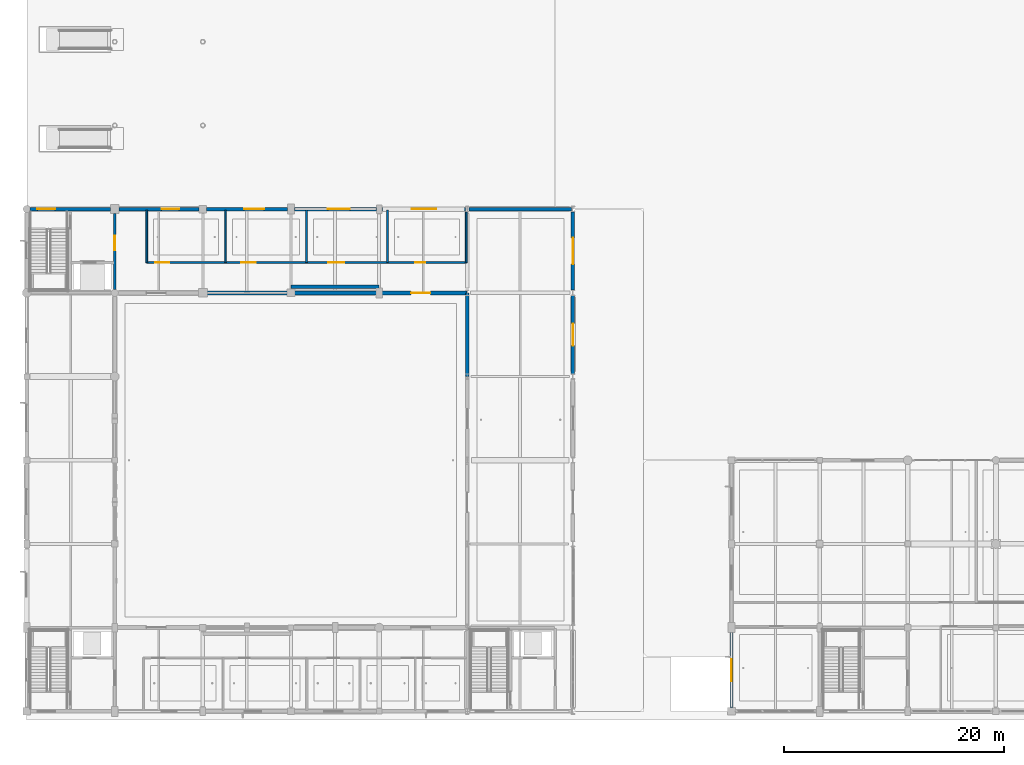
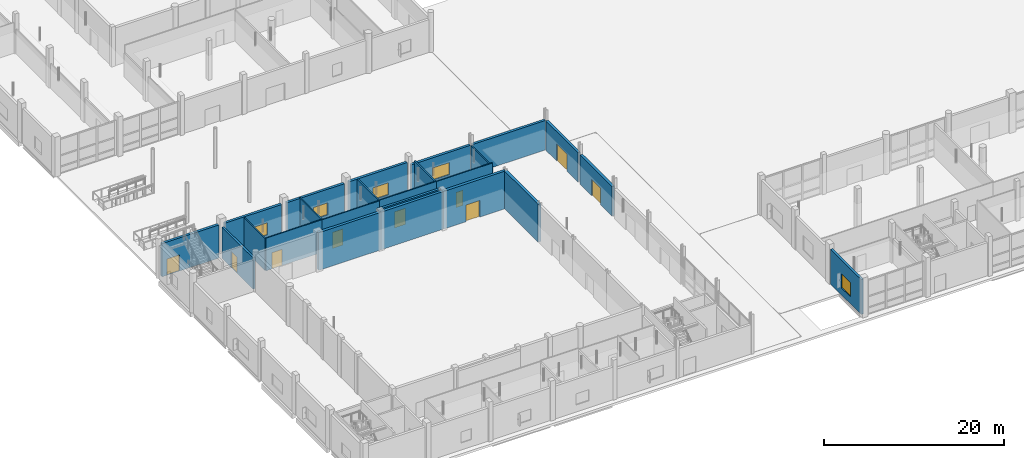
# One storey, part 61 of 126: 24 walls, 9 doors, 5 windows, 14 openings.
"""IFC4 building model written with IfcOpenShell, lengths in metres."""

from ifc_helpers import new_model, si_unit, direction, frame, frame_2d, origin, place, context, subcontext, project, spatial, rectangle, extrude, material, layer, layer_set, type_object, element, fill, save


model = new_model("IFC4")

# Units and contexts
model_context = context("Model", 3, precision=1e-05, world=origin(), true_north=direction((0.0, 1.0)))
body_context = subcontext(model_context, "Body", "Model", "MODEL_VIEW")
ifc_project = project(units=[si_unit("LENGTHUNIT", "METRE"), si_unit("AREAUNIT", "SQUARE_METRE"), si_unit("VOLUMEUNIT", "CUBIC_METRE"), si_unit("PLANEANGLEUNIT", "RADIAN"), si_unit("MASSUNIT", "GRAM", prefix="KILO")], contexts=[model_context])

# Site, building, storey
site_placement = place(None, origin())
site = spatial("IfcSite", under=ifc_project, at=site_placement, CompositionType="ELEMENT")
building_placement = place(site_placement, origin())
building = spatial("IfcBuilding", under=site, at=building_placement, Name="Khelvaren Railside Concert Hall", CompositionType="ELEMENT")
storey_placement = place(building_placement, origin())
storey = spatial("IfcBuildingStorey", under=building, at=storey_placement, Name="L00", CompositionType="ELEMENT", Elevation=0.0)

# Wall, opening, door
ifc_material_1 = material(Name="Concrete C40/50", Category="concrete")
ifc_layer_1 = layer(ifc_material_1, 0.25)
ifc_layer_set_1 = layer_set([ifc_layer_1], Name="Concrete C40/50")
wall_type_1 = type_object("IfcWallType", Name="CW82", PredefinedType="SOLIDWALL", material=ifc_layer_set_1)
wall_1_placement = place(storey_placement, frame((8.0, 38.324951171875, 0.0), z_axis=(0.0, 0.0, 1.0), x_axis=(0.0, 1.0, 0.0)))
wall_1 = element("IfcWall", 1, at=wall_1_placement, inside=storey, type_object=wall_type_1, Name="Core Enclosure Wall CWALL-ST-11-L00-E", PredefinedType="SOLIDWALL", context=body_context, shape_type="SweptSolid", body=[
    extrude(rectangle(XDim=6.875, YDim=0.25, at=frame_2d((3.4375, 0.0))), origin(), (0.0, 0.0, 1.0), 4.235107421875),
])
opening_1_placement = place(wall_1_placement, frame((3.52490234375, 0.0, 0.0)))
opening_1 = element("IfcOpeningElement", 2, at=opening_1_placement, cuts=wall_1, Name="Opening FDR34", PredefinedType="OPENING", context=body_context, shape_type="SweptSolid", body=[
    extrude(rectangle(XDim=1.35009765625, YDim=2.199951171875, at=frame_2d((0.675048828125, 1.10009765625))), frame((0.0, 0.135009765625, 0.0), z_axis=(0.0, -1.0, 0.0), x_axis=(1.0, 0.0, 0.0)), (0.0, 0.0, 1.0), 0.27001953125),
])
ifc_material_2 = material(Name="Acoustic fire-rated timber-core steel frame door", Category="steel")
door_type_1 = type_object("IfcDoorType", Name="FDR34", OperationType="NOTDEFINED", PredefinedType="DOOR", material=ifc_material_2)
door_1_placement = place(opening_1_placement, origin())
door_1 = element("IfcDoor", 3, at=door_1_placement, inside=storey, type_object=door_type_1, Name="Interior Door DR-ST-11-L00-LOB", OperationType="SINGLE_SWING_LEFT", OverallHeight=2.199951171875, OverallWidth=1.35009765625, PredefinedType="DOOR", context=body_context, shape_type="SweptSolid", body=[
    extrude(rectangle(XDim=1.35009765625, YDim=2.199951171875, at=frame_2d((0.675048828125, 1.10009765625))), frame((0.0, 0.02490234375, 0.0), z_axis=(0.0, -1.0, 0.0), x_axis=(1.0, 0.0, 0.0)), (0.0, 0.0, 1.0), 0.050048828125),
])
fill(opening_1, door_1)

ifc_material_3 = material(Name="Board-marked architectural concrete C40/50", Category="concrete")
ifc_layer_2 = layer(ifc_material_3, 0.320068359375)
ifc_layer_set_2 = layer_set([ifc_layer_2], Name="Board-marked architectural concrete C40/50")
wall_type_2 = type_object("IfcWallType", Name="EW39", PredefinedType="SOLIDWALL", material=ifc_layer_set_2)
wall_2_placement = place(storey_placement, frame((0.324951171875, 45.60009765625, 0.0), z_axis=(0.0, 0.0, 1.0), x_axis=(1.0, 0.0, 0.0)))
wall_2 = element("IfcWall", 4, at=wall_2_placement, inside=storey, type_object=wall_type_2, Name="V1 L00 Exterior Concrete Wall N-0", PredefinedType="SOLIDWALL", context=body_context, shape_type="SweptSolid", body=[
    extrude(rectangle(XDim=7.275146484375, YDim=0.320068359375, at=frame_2d((3.6376953125, 0.0))), origin(), (0.0, 0.0, 1.0), 4.489990234375),
])
opening_2_placement = place(wall_2_placement, frame((0.64990234375, 0.0, 0.0)))
opening_2 = element("IfcOpeningElement", 5, at=opening_2_placement, cuts=wall_2, Name="Opening E-ST11", PredefinedType="OPENING", context=body_context, shape_type="SweptSolid", body=[
    extrude(rectangle(XDim=1.60009765625, YDim=2.199951171875, at=frame_2d((0.800048828125, 1.10009765625))), frame((0.0, 0.169921875, 0.0), z_axis=(0.0, -1.0, 0.0), x_axis=(1.0, 0.0, 0.0)), (0.0, 0.0, 1.0), 0.340087890625),
])
ifc_material_4 = material(Name="Acoustic thermally broken steel exit door", Category="steel")
door_type_2 = type_object("IfcDoorType", Name="EDR80", OperationType="NOTDEFINED", PredefinedType="DOOR", material=ifc_material_4)
door_2_placement = place(opening_2_placement, origin())
door_2 = element("IfcDoor", 6, at=door_2_placement, inside=storey, type_object=door_type_2, Name="Final Stair Exit Door E-ST11", OperationType="SINGLE_SWING_RIGHT", OverallHeight=2.199951171875, OverallWidth=1.60009765625, PredefinedType="DOOR", context=body_context, shape_type="SweptSolid", body=[
    extrude(rectangle(XDim=1.60009765625, YDim=2.199951171875, at=frame_2d((0.800048828125, 1.10009765625))), frame((0.0, 0.02490234375, 0.0), z_axis=(0.0, -1.0, 0.0), x_axis=(1.0, 0.0, 0.0)), (0.0, 0.0, 1.0), 0.050048828125),
])
fill(opening_2, door_2)

# Wall, opening, window
wall_3_placement = place(storey_placement, frame((8.39990234375, 45.60009765625, 0.0), z_axis=(0.0, 0.0, 1.0), x_axis=(1.0, 0.0, 0.0)))
wall_3 = element("IfcWall", 7, at=wall_3_placement, inside=storey, type_object=wall_type_2, Name="V1 L00 Exterior Concrete Wall N-8", PredefinedType="SOLIDWALL", context=body_context, shape_type="SweptSolid", body=[
    extrude(rectangle(XDim=7.25, YDim=0.320068359375, at=frame_2d((3.625, 0.0))), origin(), (0.0, 0.0, 1.0), 4.43994140625),
])
opening_3_placement = place(wall_3_placement, frame((3.85009765625, 0.0, 0.949951171875)))
opening_3 = element("IfcOpeningElement", 8, at=opening_3_placement, cuts=wall_3, Name="Opening WN73", PredefinedType="OPENING", context=body_context, shape_type="SweptSolid", body=[
    extrude(rectangle(XDim=1.60009765625, YDim=1.64990234375, at=frame_2d((0.800048828125, 0.824951171875))), frame((0.0, 0.169921875, 0.0), z_axis=(0.0, -1.0, 0.0), x_axis=(1.0, 0.0, 0.0)), (0.0, 0.0, 1.0), 0.340087890625),
])
ifc_material_5 = material(Name="Triple-glazed acoustic aluminium window", Category="aluminium")
window_type_1 = type_object("IfcWindowType", Name="WN73", PartitioningType="SINGLE_PANEL", PredefinedType="WINDOW", material=ifc_material_5)
window_1_placement = place(opening_3_placement, origin())
window_1 = element("IfcWindow", 9, at=window_1_placement, inside=storey, type_object=window_type_1, Name="Acoustic Facade Window EW-V1-L00-N-8", OverallHeight=1.64990234375, OverallWidth=1.60009765625, PartitioningType="SINGLE_PANEL", PredefinedType="WINDOW", context=body_context, shape_type="SweptSolid", body=[
    extrude(rectangle(XDim=1.60009765625, YDim=1.64990234375, at=frame_2d((0.800048828125, 0.824951171875))), frame((0.0, 0.030029296875, 0.0), z_axis=(0.0, -1.0, 0.0), x_axis=(1.0, 0.0, 0.0)), (0.0, 0.0, 1.0), 0.06005859375),
])
fill(opening_3, window_1)

wall_4_placement = place(storey_placement, frame((16.35009765625, 45.60009765625, 0.0), z_axis=(0.0, 0.0, 1.0), x_axis=(1.0, 0.0, 0.0)))
wall_4 = element("IfcWall", 10, at=wall_4_placement, inside=storey, type_object=wall_type_2, Name="V1 L00 Exterior Concrete Wall N-16", PredefinedType="SOLIDWALL", context=body_context, shape_type="SweptSolid", body=[
    extrude(rectangle(XDim=7.349853515625, YDim=0.320068359375, at=frame_2d((3.6748046875, 0.0))), origin(), (0.0, 0.0, 1.0), 4.43994140625),
])
opening_4_placement = place(wall_4_placement, frame((3.406494140625, 0.0, 0.949951171875)))
opening_4 = element("IfcOpeningElement", 11, at=opening_4_placement, cuts=wall_4, Name="Opening WN96", PredefinedType="OPENING", context=body_context, shape_type="SweptSolid", body=[
    extrude(rectangle(XDim=1.800048828125, YDim=1.64990234375, at=frame_2d((0.89990234375, 0.824951171875))), frame((0.0, 0.169921875, 0.0), z_axis=(0.0, -1.0, 0.0), x_axis=(1.0, 0.0, 0.0)), (0.0, 0.0, 1.0), 0.340087890625),
])
window_type_2 = type_object("IfcWindowType", Name="WN96", PartitioningType="DOUBLE_PANEL_VERTICAL", PredefinedType="WINDOW", material=ifc_material_5)
window_2_placement = place(opening_4_placement, origin())
window_2 = element("IfcWindow", 12, at=window_2_placement, inside=storey, type_object=window_type_2, Name="Acoustic Facade Window EW-V1-L00-N-16", OverallHeight=1.64990234375, OverallWidth=1.800048828125, PartitioningType="DOUBLE_PANEL_VERTICAL", PredefinedType="WINDOW", context=body_context, shape_type="SweptSolid", body=[
    extrude(rectangle(XDim=1.800048828125, YDim=1.64990234375, at=frame_2d((0.89990234375, 0.824951171875))), frame((0.0, 0.030029296875, 0.0), z_axis=(0.0, -1.0, 0.0), x_axis=(1.0, 0.0, 0.0)), (0.0, 0.0, 1.0), 0.06005859375),
])
fill(opening_4, window_2)

wall_5_placement = place(storey_placement, frame((24.300048828125, 45.60009765625, 0.0), z_axis=(0.0, 0.0, 1.0), x_axis=(1.0, 0.0, 0.0)))
wall_5 = element("IfcWall", 13, at=wall_5_placement, inside=storey, type_object=wall_type_2, Name="V1 L00 Exterior Concrete Wall N-24", PredefinedType="SOLIDWALL", context=body_context, shape_type="SweptSolid", body=[
    extrude(rectangle(XDim=7.449951171875, YDim=0.320068359375, at=frame_2d((3.72509765625, 0.0))), origin(), (0.0, 0.0, 1.0), 4.489990234375),
])
opening_5_placement = place(wall_5_placement, frame((3.054931640625, 0.0, 0.949951171875)))
opening_5 = element("IfcOpeningElement", 14, at=opening_5_placement, cuts=wall_5, Name="Opening WN51", PredefinedType="OPENING", context=body_context, shape_type="SweptSolid", body=[
    extrude(rectangle(XDim=2.0, YDim=1.64990234375, at=frame_2d((1.0, 0.824951171875))), frame((0.0, 0.169921875, 0.0), z_axis=(0.0, -1.0, 0.0), x_axis=(1.0, 0.0, 0.0)), (0.0, 0.0, 1.0), 0.340087890625),
])
window_type_3 = type_object("IfcWindowType", Name="WN51", PartitioningType="DOUBLE_PANEL_VERTICAL", PredefinedType="WINDOW", material=ifc_material_5)
window_3_placement = place(opening_5_placement, origin())
window_3 = element("IfcWindow", 15, at=window_3_placement, inside=storey, type_object=window_type_3, Name="Acoustic Facade Window EW-V1-L00-N-24", OverallHeight=1.64990234375, OverallWidth=2.0, PartitioningType="DOUBLE_PANEL_VERTICAL", PredefinedType="WINDOW", context=body_context, shape_type="SweptSolid", body=[
    extrude(rectangle(XDim=2.0, YDim=1.64990234375, at=frame_2d((1.0, 0.824951171875))), frame((0.0, 0.030029296875, 0.0), z_axis=(0.0, -1.0, 0.0), x_axis=(1.0, 0.0, 0.0)), (0.0, 0.0, 1.0), 0.06005859375),
])
fill(opening_5, window_3)

wall_6_placement = place(storey_placement, frame((32.25, 45.60009765625, 0.0), z_axis=(0.0, 0.0, 1.0), x_axis=(1.0, 0.0, 0.0)))
wall_6 = element("IfcWall", 16, at=wall_6_placement, inside=storey, type_object=wall_type_2, Name="V1 L00 Exterior Concrete Wall N-32", PredefinedType="SOLIDWALL", context=body_context, shape_type="SweptSolid", body=[
    extrude(rectangle(XDim=7.60009765625, YDim=0.320068359375, at=frame_2d((3.800048828125, 0.0))), origin(), (0.0, 0.0, 1.0), 3.989990234375),
])
opening_6_placement = place(wall_6_placement, frame((2.728515625, 0.0, 0.949951171875)))
opening_6 = element("IfcOpeningElement", 17, at=opening_6_placement, cuts=wall_6, Name="Opening WN37", PredefinedType="OPENING", context=body_context, shape_type="SweptSolid", body=[
    extrude(rectangle(XDim=2.199951171875, YDim=1.64990234375, at=frame_2d((1.10009765625, 0.824951171875))), frame((0.0, 0.169921875, 0.0), z_axis=(0.0, -1.0, 0.0), x_axis=(1.0, 0.0, 0.0)), (0.0, 0.0, 1.0), 0.340087890625),
])
window_type_4 = type_object("IfcWindowType", Name="WN37", PartitioningType="DOUBLE_PANEL_VERTICAL", PredefinedType="WINDOW", material=ifc_material_5)
window_4_placement = place(opening_6_placement, origin())
window_4 = element("IfcWindow", 18, at=window_4_placement, inside=storey, type_object=window_type_4, Name="Acoustic Facade Window EW-V1-L00-N-32", OverallHeight=1.64990234375, OverallWidth=2.199951171875, PartitioningType="DOUBLE_PANEL_VERTICAL", PredefinedType="WINDOW", context=body_context, shape_type="SweptSolid", body=[
    extrude(rectangle(XDim=2.199951171875, YDim=1.64990234375, at=frame_2d((1.10009765625, 0.824951171875))), frame((0.0, 0.030029296875, 0.0), z_axis=(0.0, -1.0, 0.0), x_axis=(1.0, 0.0, 0.0)), (0.0, 0.0, 1.0), 0.06005859375),
])
fill(opening_6, window_4)

# Wall
wall_7_placement = place(storey_placement, frame((40.14990234375, 45.60009765625, 0.0), z_axis=(0.0, 0.0, 1.0), x_axis=(1.0, 0.0, 0.0)))
element("IfcWall", 19, at=wall_7_placement, inside=storey, type_object=wall_type_2, Name="V1 L00 Exterior Concrete Wall N-40", PredefinedType="SOLIDWALL", context=body_context, shape_type="SweptSolid", body=[
    extrude(rectangle(XDim=9.300048828125, YDim=0.320068359375, at=frame_2d((4.64990234375, 0.0))), origin(), (0.0, 0.0, 1.0), 3.989990234375),
])

# Wall, opening, door
wall_8_placement = place(storey_placement, frame((49.60009765625, 37.75, 0.0), z_axis=(0.0, 0.0, 1.0), x_axis=(0.0, -1.0, 0.0)))
wall_8 = element("IfcWall", 20, at=wall_8_placement, inside=storey, type_object=wall_type_2, Name="V1 L00 Exterior Concrete Wall E-30", PredefinedType="SOLIDWALL", context=body_context, shape_type="SweptSolid", body=[
    extrude(rectangle(XDim=7.10009765625, YDim=0.320068359375, at=frame_2d((3.550048828125, 0.0))), origin(), (0.0, 0.0, 1.0), 3.989990234375),
])
opening_7_placement = place(wall_8_placement, frame((2.550048828125, 0.0, 0.0)))
opening_7 = element("IfcOpeningElement", 21, at=opening_7_placement, cuts=wall_8, Name="Opening E-V1-03", PredefinedType="OPENING", context=body_context, shape_type="SweptSolid", body=[
    extrude(rectangle(XDim=2.0, YDim=2.25, at=frame_2d((1.0, 1.125))), frame((0.0, 0.169921875, 0.0), z_axis=(0.0, -1.0, 0.0), x_axis=(1.0, 0.0, 0.0)), (0.0, 0.0, 1.0), 0.340087890625),
])
ifc_material_6 = material(Name="Anodised bronze glazed entrance door", Category="aluminium")
door_type_3 = type_object("IfcDoorType", Name="EDR42", OperationType="NOTDEFINED", PredefinedType="DOOR", material=ifc_material_6)
door_3_placement = place(opening_7_placement, origin())
door_3 = element("IfcDoor", 22, at=door_3_placement, inside=storey, type_object=door_type_3, Name="Public Entrance Exit Door E-V1-03", OperationType="SINGLE_SWING_LEFT", OverallHeight=2.25, OverallWidth=2.0, PredefinedType="DOOR", context=body_context, shape_type="SweptSolid", body=[
    extrude(rectangle(XDim=2.0, YDim=2.25, at=frame_2d((1.0, 1.125))), frame((0.0, 0.02490234375, 0.0), z_axis=(0.0, -1.0, 0.0), x_axis=(1.0, 0.0, 0.0)), (0.0, 0.0, 1.0), 0.050048828125),
])
fill(opening_7, door_3)

wall_9_placement = place(storey_placement, frame((49.60009765625, 45.35009765625, 0.0), z_axis=(0.0, 0.0, 1.0), x_axis=(0.0, -1.0, 0.0)))
wall_9 = element("IfcWall", 23, at=wall_9_placement, inside=storey, type_object=wall_type_2, Name="V1 L00 Exterior Concrete Wall E-38", PredefinedType="SOLIDWALL", context=body_context, shape_type="SweptSolid", body=[
    extrude(rectangle(XDim=7.10009765625, YDim=0.320068359375, at=frame_2d((3.550048828125, 0.0))), origin(), (0.0, 0.0, 1.0), 3.989990234375),
])
opening_8_placement = place(wall_9_placement, frame((2.35009765625, 0.0, 0.0)))
opening_8 = element("IfcOpeningElement", 24, at=opening_8_placement, cuts=wall_9, Name="Opening E-V1-04", PredefinedType="OPENING", context=body_context, shape_type="SweptSolid", body=[
    extrude(rectangle(XDim=2.39990234375, YDim=2.35009765625, at=frame_2d((1.199951171875, 1.175048828125))), frame((0.0, 0.169921875, 0.0), z_axis=(0.0, -1.0, 0.0), x_axis=(1.0, 0.0, 0.0)), (0.0, 0.0, 1.0), 0.340087890625),
])
door_type_4 = type_object("IfcDoorType", Name="EDR86", OperationType="NOTDEFINED", PredefinedType="DOOR", material=ifc_material_6)
door_4_placement = place(opening_8_placement, origin())
door_4 = element("IfcDoor", 25, at=door_4_placement, inside=storey, type_object=door_type_4, Name="Public Entrance Exit Door E-V1-04", OperationType="SINGLE_SWING_RIGHT", OverallHeight=2.35009765625, OverallWidth=2.39990234375, PredefinedType="DOOR", context=body_context, shape_type="SweptSolid", body=[
    extrude(rectangle(XDim=2.39990234375, YDim=2.35009765625, at=frame_2d((1.199951171875, 1.175048828125))), frame((0.0, 0.02490234375, 0.0), z_axis=(0.0, -1.0, 0.0), x_axis=(1.0, 0.0, 0.0)), (0.0, 0.0, 1.0), 0.050048828125),
])
fill(opening_8, door_4)

# Wall, opening, window
ifc_layer_3 = layer(ifc_material_3, 0.2900390625)
ifc_layer_set_3 = layer_set([ifc_layer_3], Name="Board-marked architectural concrete C40/50")
wall_type_3 = type_object("IfcWallType", Name="EW77", PredefinedType="SOLIDWALL", material=ifc_layer_set_3)
wall_10_placement = place(storey_placement, frame((64.0, 0.35009765625, 0.0), z_axis=(0.0, 0.0, 1.0), x_axis=(0.0, 1.0, 0.0)))
wall_10 = element("IfcWall", 26, at=wall_10_placement, inside=storey, type_object=wall_type_3, Name="V3 L00 Exterior Concrete Wall W-0", PredefinedType="SOLIDWALL", context=body_context, shape_type="SweptSolid", body=[
    extrude(rectangle(XDim=6.7998046875, YDim=0.2900390625, at=frame_2d((3.39990234375, 0.0))), origin(), (0.0, 0.0, 1.0), 4.72998046875),
])
opening_9_placement = place(wall_10_placement, frame((2.39990234375, 0.0, 0.949951171875)))
opening_9 = element("IfcOpeningElement", 27, at=opening_9_placement, cuts=wall_10, Name="Opening WN46", PredefinedType="OPENING", context=body_context, shape_type="SweptSolid", body=[
    extrude(rectangle(XDim=2.0, YDim=1.949951171875, at=frame_2d((1.0, 0.97509765625))), frame((0.0, 0.155029296875, 0.0), z_axis=(0.0, -1.0, 0.0), x_axis=(1.0, 0.0, 0.0)), (0.0, 0.0, 1.0), 0.31005859375),
])
window_type_5 = type_object("IfcWindowType", Name="WN46", PartitioningType="DOUBLE_PANEL_VERTICAL", PredefinedType="WINDOW", material=ifc_material_5)
window_5_placement = place(opening_9_placement, origin())
window_5 = element("IfcWindow", 28, at=window_5_placement, inside=storey, type_object=window_type_5, Name="Acoustic Facade Window EW-V3-L00-W-0", OverallHeight=1.949951171875, OverallWidth=2.0, PartitioningType="DOUBLE_PANEL_VERTICAL", PredefinedType="WINDOW", context=body_context, shape_type="SweptSolid", body=[
    extrude(rectangle(XDim=2.0, YDim=1.949951171875, at=frame_2d((1.0, 0.97509765625))), frame((0.0, 0.030029296875, 0.0), z_axis=(0.0, -1.0, 0.0), x_axis=(1.0, 0.0, 0.0)), (0.0, 0.0, 1.0), 0.06005859375),
])
fill(opening_9, window_5)

# Walls
ifc_material_7 = material(Name="Acoustic double-stud gypsum partition", Category="gypsum")
ifc_layer_4 = layer(ifc_material_7, 0.18994140625)
ifc_layer_set_4 = layer_set([ifc_layer_4], Name="Acoustic double-stud gypsum partition")
wall_type_4 = type_object("IfcWallType", Name="PT17", PredefinedType="PARTITIONING", material=ifc_layer_set_4)
wall_11_placement = place(storey_placement, frame((32.757080078125, 40.75, 0.0), z_axis=(0.0, 0.0, 1.0), x_axis=(0.0, 1.0, 0.0)))
element("IfcWall", 29, at=wall_11_placement, inside=storey, type_object=wall_type_4, Name="Acoustic Partition Wall PW-V1-L00-N0-D03", PredefinedType="PARTITIONING", context=body_context, shape_type="SweptSolid", body=[
    extrude(rectangle(XDim=4.77001953125, YDim=0.18994140625, at=frame_2d((2.385009765625, 0.0))), origin(), (0.0, 0.0, 1.0), 4.35009765625),
])
ifc_layer_5 = layer(ifc_material_7, 0.14990234375)
ifc_layer_set_5 = layer_set([ifc_layer_5], Name="Acoustic double-stud gypsum partition")
wall_type_5 = type_object("IfcWallType", Name="PT66", PredefinedType="PARTITIONING", material=ifc_layer_set_5)
wall_12_placement = place(storey_placement, frame((18.06298828125, 40.75, 0.0), z_axis=(0.0, 0.0, 1.0), x_axis=(0.0, 1.0, 0.0)))
element("IfcWall", 30, at=wall_12_placement, inside=storey, type_object=wall_type_5, Name="Acoustic Partition Wall PW-V1-L00-N0-D01", PredefinedType="PARTITIONING", context=body_context, shape_type="SweptSolid", body=[
    extrude(rectangle(XDim=4.77001953125, YDim=0.14990234375, at=frame_2d((2.385009765625, 0.0))), origin(), (0.0, 0.0, 1.0), 4.4951171875),
])

# Wall, opening, door
ifc_layer_6 = layer(ifc_material_7, 0.14990234375)
ifc_layer_set_6 = layer_set([ifc_layer_6], Name="Acoustic double-stud gypsum partition")
wall_type_6 = type_object("IfcWallType", Name="PT72", PredefinedType="PARTITIONING", material=ifc_layer_set_6)
wall_13_placement = place(storey_placement, frame((10.89990234375, 40.75, 0.0), z_axis=(0.0, 0.0, 1.0), x_axis=(1.0, 0.0, 0.0)))
wall_13 = element("IfcWall", 31, at=wall_13_placement, inside=storey, type_object=wall_type_6, Name="Acoustic Partition Wall PW-V1-L00-N0-C01", PredefinedType="PARTITIONING", context=body_context, shape_type="SweptSolid", body=[
    extrude(rectangle(XDim=7.1630859375, YDim=0.14990234375, at=frame_2d((3.58154296875, 0.0))), origin(), (0.0, 0.0, 1.0), 4.425048828125),
])
opening_10_placement = place(wall_13_placement, frame((0.792236328125, 0.0, 0.0)))
opening_10 = element("IfcOpeningElement", 32, at=opening_10_placement, cuts=wall_13, Name="Opening IDR64", PredefinedType="OPENING", context=body_context, shape_type="SweptSolid", body=[
    extrude(rectangle(XDim=1.260009765625, YDim=2.199951171875, at=frame_2d((0.6298828125, 1.10009765625))), frame((0.0, 0.0849609375, 0.0), z_axis=(0.0, -1.0, 0.0), x_axis=(1.0, 0.0, 0.0)), (0.0, 0.0, 1.0), 0.169921875),
])
ifc_material_8 = material(Name="Solid oak acoustic studio door", Category="wood")
door_type_5 = type_object("IfcDoorType", Name="IDR64", OperationType="NOTDEFINED", PredefinedType="DOOR", material=ifc_material_8)
door_5_placement = place(opening_10_placement, origin())
door_5 = element("IfcDoor", 33, at=door_5_placement, inside=storey, type_object=door_type_5, Name="Interior Door DR-V1-L00-N0-01", OperationType="SINGLE_SWING_RIGHT", OverallHeight=2.199951171875, OverallWidth=1.260009765625, PredefinedType="DOOR", context=body_context, shape_type="SweptSolid", body=[
    extrude(rectangle(XDim=1.260009765625, YDim=2.199951171875, at=frame_2d((0.6298828125, 1.10009765625))), frame((0.0, 0.02490234375, 0.0), z_axis=(0.0, -1.0, 0.0), x_axis=(1.0, 0.0, 0.0)), (0.0, 0.0, 1.0), 0.050048828125),
])
fill(opening_10, door_5)

wall_14_placement = place(storey_placement, frame((18.06298828125, 40.75, 0.0), z_axis=(0.0, 0.0, 1.0), x_axis=(1.0, 0.0, 0.0)))
wall_14 = element("IfcWall", 34, at=wall_14_placement, inside=storey, type_object=wall_type_6, Name="Acoustic Partition Wall PW-V1-L00-N0-C02", PredefinedType="PARTITIONING", context=body_context, shape_type="SweptSolid", body=[
    extrude(rectangle(XDim=7.346923828125, YDim=0.14990234375, at=frame_2d((3.67333984375, 0.0))), origin(), (0.0, 0.0, 1.0), 4.39990234375),
])
opening_11_placement = place(wall_14_placement, frame((1.4013671875, 0.0, 0.0)))
opening_11 = element("IfcOpeningElement", 35, at=opening_11_placement, cuts=wall_14, Name="Opening IDR52", PredefinedType="OPENING", context=body_context, shape_type="SweptSolid", body=[
    extrude(rectangle(XDim=1.340087890625, YDim=2.199951171875, at=frame_2d((0.669921875, 1.10009765625))), frame((0.0, 0.0849609375, 0.0), z_axis=(0.0, -1.0, 0.0), x_axis=(1.0, 0.0, 0.0)), (0.0, 0.0, 1.0), 0.169921875),
])
door_type_6 = type_object("IfcDoorType", Name="IDR52", OperationType="NOTDEFINED", PredefinedType="DOOR", material=ifc_material_8)
door_6_placement = place(opening_11_placement, origin())
door_6 = element("IfcDoor", 36, at=door_6_placement, inside=storey, type_object=door_type_6, Name="Interior Door DR-V1-L00-N0-02", OperationType="SINGLE_SWING_LEFT", OverallHeight=2.199951171875, OverallWidth=1.340087890625, PredefinedType="DOOR", context=body_context, shape_type="SweptSolid", body=[
    extrude(rectangle(XDim=1.340087890625, YDim=2.199951171875, at=frame_2d((0.669921875, 1.10009765625))), frame((0.0, 0.02490234375, 0.0), z_axis=(0.0, -1.0, 0.0), x_axis=(1.0, 0.0, 0.0)), (0.0, 0.0, 1.0), 0.050048828125),
])
fill(opening_11, door_6)

wall_15_placement = place(storey_placement, frame((25.409912109375, 40.75, 0.0), z_axis=(0.0, 0.0, 1.0), x_axis=(1.0, 0.0, 0.0)))
wall_15 = element("IfcWall", 37, at=wall_15_placement, inside=storey, type_object=wall_type_6, Name="Acoustic Partition Wall PW-V1-L00-N0-C03", PredefinedType="PARTITIONING", context=body_context, shape_type="SweptSolid", body=[
    extrude(rectangle(XDim=7.34716796875, YDim=0.14990234375, at=frame_2d((3.673583984375, 0.0))), origin(), (0.0, 0.0, 1.0), 4.47509765625),
])
opening_12_placement = place(wall_15_placement, frame((1.9921875, 0.0, 0.0)))
opening_12 = element("IfcOpeningElement", 38, at=opening_12_placement, cuts=wall_15, Name="Opening IDR61", PredefinedType="OPENING", context=body_context, shape_type="SweptSolid", body=[
    extrude(rectangle(XDim=1.419921875, YDim=2.199951171875, at=frame_2d((0.7099609375, 1.10009765625))), frame((0.0, 0.0849609375, 0.0), z_axis=(0.0, -1.0, 0.0), x_axis=(1.0, 0.0, 0.0)), (0.0, 0.0, 1.0), 0.169921875),
])
door_type_7 = type_object("IfcDoorType", Name="IDR61", OperationType="NOTDEFINED", PredefinedType="DOOR", material=ifc_material_8)
door_7_placement = place(opening_12_placement, origin())
door_7 = element("IfcDoor", 39, at=door_7_placement, inside=storey, type_object=door_type_7, Name="Interior Door DR-V1-L00-N0-03", OperationType="SINGLE_SWING_RIGHT", OverallHeight=2.199951171875, OverallWidth=1.419921875, PredefinedType="DOOR", context=body_context, shape_type="SweptSolid", body=[
    extrude(rectangle(XDim=1.419921875, YDim=2.199951171875, at=frame_2d((0.7099609375, 1.10009765625))), frame((0.0, 0.02490234375, 0.0), z_axis=(0.0, -1.0, 0.0), x_axis=(1.0, 0.0, 0.0)), (0.0, 0.0, 1.0), 0.050048828125),
])
fill(opening_12, door_7)

wall_16_placement = place(storey_placement, frame((32.757080078125, 40.75, 0.0), z_axis=(0.0, 0.0, 1.0), x_axis=(1.0, 0.0, 0.0)))
wall_16 = element("IfcWall", 40, at=wall_16_placement, inside=storey, type_object=wall_type_6, Name="Acoustic Partition Wall PW-V1-L00-N0-C04", PredefinedType="PARTITIONING", context=body_context, shape_type="SweptSolid", body=[
    extrude(rectangle(XDim=7.162841796875, YDim=0.14990234375, at=frame_2d((3.58154296875, 0.0))), origin(), (0.0, 0.0, 1.0), 4.455078125),
])
opening_13_placement = place(wall_16_placement, frame((2.50927734375, 0.0, 0.0)))
opening_13 = element("IfcOpeningElement", 41, at=opening_13_placement, cuts=wall_16, Name="Opening IDR68", PredefinedType="OPENING", context=body_context, shape_type="SweptSolid", body=[
    extrude(rectangle(XDim=0.919921875, YDim=2.050048828125, at=frame_2d((0.4599609375, 1.02490234375))), frame((0.0, 0.0849609375, 0.0), z_axis=(0.0, -1.0, 0.0), x_axis=(1.0, 0.0, 0.0)), (0.0, 0.0, 1.0), 0.169921875),
])
door_type_8 = type_object("IfcDoorType", Name="IDR68", OperationType="NOTDEFINED", PredefinedType="DOOR", material=ifc_material_8)
door_8_placement = place(opening_13_placement, origin())
door_8 = element("IfcDoor", 42, at=door_8_placement, inside=storey, type_object=door_type_8, Name="Interior Door DR-V1-L00-N0-04", OperationType="SINGLE_SWING_LEFT", OverallHeight=2.050048828125, OverallWidth=0.919921875, PredefinedType="DOOR", context=body_context, shape_type="SweptSolid", body=[
    extrude(rectangle(XDim=0.919921875, YDim=2.050048828125, at=frame_2d((0.4599609375, 1.02490234375))), frame((0.0, 0.02490234375, 0.0), z_axis=(0.0, -1.0, 0.0), x_axis=(1.0, 0.0, 0.0)), (0.0, 0.0, 1.0), 0.050048828125),
])
fill(opening_13, door_8)

# Walls
wall_17_placement = place(storey_placement, frame((10.89990234375, 40.75, 0.0), z_axis=(0.0, 0.0, 1.0), x_axis=(0.0, 1.0, 0.0)))
element("IfcWall", 43, at=wall_17_placement, inside=storey, type_object=wall_type_6, Name="Acoustic Partition Wall PW-V1-L00-N0-W0", PredefinedType="PARTITIONING", context=body_context, shape_type="SweptSolid", body=[
    extrude(rectangle(XDim=4.77001953125, YDim=0.14990234375, at=frame_2d((2.385009765625, 0.0))), origin(), (0.0, 0.0, 1.0), 4.324951171875),
])
wall_18_placement = place(storey_placement, frame((39.919921875, 40.75, 0.0), z_axis=(0.0, 0.0, 1.0), x_axis=(0.0, 1.0, 0.0)))
element("IfcWall", 44, at=wall_18_placement, inside=storey, type_object=wall_type_6, Name="Acoustic Partition Wall PW-V1-L00-N0-E0", PredefinedType="PARTITIONING", context=body_context, shape_type="SweptSolid", body=[
    extrude(rectangle(XDim=4.60009765625, YDim=0.14990234375, at=frame_2d((2.300048828125, 0.0))), origin(), (0.0, 0.0, 1.0), 3.989990234375),
])
ifc_layer_7 = layer(ifc_material_7, 0.169921875)
ifc_layer_set_7 = layer_set([ifc_layer_7], Name="Acoustic double-stud gypsum partition")
wall_type_7 = type_object("IfcWallType", Name="PT94", PredefinedType="PARTITIONING", material=ifc_layer_set_7)
wall_19_placement = place(storey_placement, frame((25.409912109375, 40.75, 0.0), z_axis=(0.0, 0.0, 1.0), x_axis=(0.0, 1.0, 0.0)))
element("IfcWall", 45, at=wall_19_placement, inside=storey, type_object=wall_type_7, Name="Acoustic Partition Wall PW-V1-L00-N0-D02", PredefinedType="PARTITIONING", context=body_context, shape_type="SweptSolid", body=[
    extrude(rectangle(XDim=4.77001953125, YDim=0.169921875, at=frame_2d((2.385009765625, 0.0))), origin(), (0.0, 0.0, 1.0), 4.469970703125),
])
ifc_layer_8 = layer(ifc_material_1, 0.300048828125)
ifc_layer_set_8 = layer_set([ifc_layer_8], Name="Concrete C40/50")
wall_type_8 = type_object("IfcWallType", Name="SW62", PredefinedType="SHEAR", material=ifc_layer_set_8)
wall_20_placement = place(storey_placement, frame((24.0, 38.550048828125, 0.0), z_axis=(0.0, 0.0, 1.0), x_axis=(1.0, 0.0, 0.0)))
element("IfcWall", 46, at=wall_20_placement, inside=storey, type_object=wall_type_8, Name="V1 Outer Box Isolation Wall L00-2", PredefinedType="SHEAR", context=body_context, shape_type="SweptSolid", body=[
    extrude(rectangle(XDim=8.0, YDim=0.300048828125, at=frame_2d((4.0, 0.0))), origin(), (0.0, 0.0, 1.0), 5.10009765625),
])
ifc_layer_9 = layer(ifc_material_1, 0.35009765625)
ifc_layer_set_9 = layer_set([ifc_layer_9], Name="Concrete C40/50")
wall_type_9 = type_object("IfcWallType", Name="SW91", PredefinedType="SHEAR", material=ifc_layer_set_9)
for number, where, z_axis, x_axis, name in (
    (47, (16.0, 38.0, 0.0), (0.0, 0.0, 1.0), (1.0, 0.0, 0.0), "V1 Acoustic Box Shear Wall L00 N2"),
    (48, (24.0, 38.0, 0.0), (0.0, 0.0, 1.0), (1.0, 0.0, 0.0), "V1 Acoustic Box Shear Wall L00 N3"),
):
    element("IfcWall", number, at=place(storey_placement, frame(where, z_axis=z_axis, x_axis=x_axis)), inside=storey, type_object=wall_type_9, Name=name, PredefinedType="SHEAR", context=body_context, shape_type="SweptSolid", body=[
        extrude(rectangle(XDim=8.0, YDim=0.35009765625, at=frame_2d((4.0, 0.0))), origin(), (0.0, 0.0, 1.0), 5.10009765625),
    ])

# Wall, opening, door
wall_21_placement = place(storey_placement, frame((32.0, 38.0, 0.0), z_axis=(0.0, 0.0, 1.0), x_axis=(1.0, 0.0, 0.0)))
wall_21 = element("IfcWall", 49, at=wall_21_placement, inside=storey, type_object=wall_type_9, Name="V1 Acoustic Box Shear Wall L00 N4", PredefinedType="SHEAR", context=body_context, shape_type="SweptSolid", body=[
    extrude(rectangle(XDim=8.0, YDim=0.35009765625, at=frame_2d((4.0, 0.0))), origin(), (0.0, 0.0, 1.0), 5.10009765625),
])
opening_14_placement = place(wall_21_placement, frame((2.89990234375, 0.0, 0.0)))
opening_14 = element("IfcOpeningElement", 50, at=opening_14_placement, cuts=wall_21, Name="Opening ADR83", PredefinedType="OPENING", context=body_context, shape_type="SweptSolid", body=[
    extrude(rectangle(XDim=1.75, YDim=2.25, at=frame_2d((0.875, 1.125))), frame((0.0, 0.18505859375, 0.0), z_axis=(0.0, -1.0, 0.0), x_axis=(1.0, 0.0, 0.0)), (0.0, 0.0, 1.0), 0.3701171875),
])
ifc_material_9 = material(Name="Heavy acoustic double sound-lock fire door", Category="wood")
door_type_9 = type_object("IfcDoorType", Name="ADR83", OperationType="DOUBLE_DOOR_SINGLE_SWING", PredefinedType="DOOR", material=ifc_material_9)
door_9_placement = place(opening_14_placement, origin())
door_9 = element("IfcDoor", 51, at=door_9_placement, inside=storey, type_object=door_type_9, Name="Main Concert Hall Acoustic Sound-Lock Door L00-N4", OperationType="DOUBLE_DOOR_SINGLE_SWING", OverallHeight=2.25, OverallWidth=1.75, PredefinedType="DOOR", context=body_context, shape_type="SweptSolid", body=[
    extrude(rectangle(XDim=1.75, YDim=2.25, at=frame_2d((0.875, 1.125))), frame((0.0, 0.02490234375, 0.0), z_axis=(0.0, -1.0, 0.0), x_axis=(1.0, 0.0, 0.0)), (0.0, 0.0, 1.0), 0.050048828125),
])
fill(opening_14, door_9)

# Wall
wall_22_placement = place(storey_placement, frame((40.0, 30.39990234375, 0.0), z_axis=(0.0, 0.0, 1.0), x_axis=(0.0, 1.0, 0.0)))
element("IfcWall", 52, at=wall_22_placement, inside=storey, type_object=wall_type_9, Name="V1 Acoustic Box Shear Wall L00 E4", PredefinedType="SHEAR", context=body_context, shape_type="SweptSolid", body=[
    extrude(rectangle(XDim=7.60009765625, YDim=0.35009765625, at=frame_2d((3.800048828125, 0.0))), origin(), (0.0, 0.0, 1.0), 5.10009765625),
])

save(model, "model.ifc")
